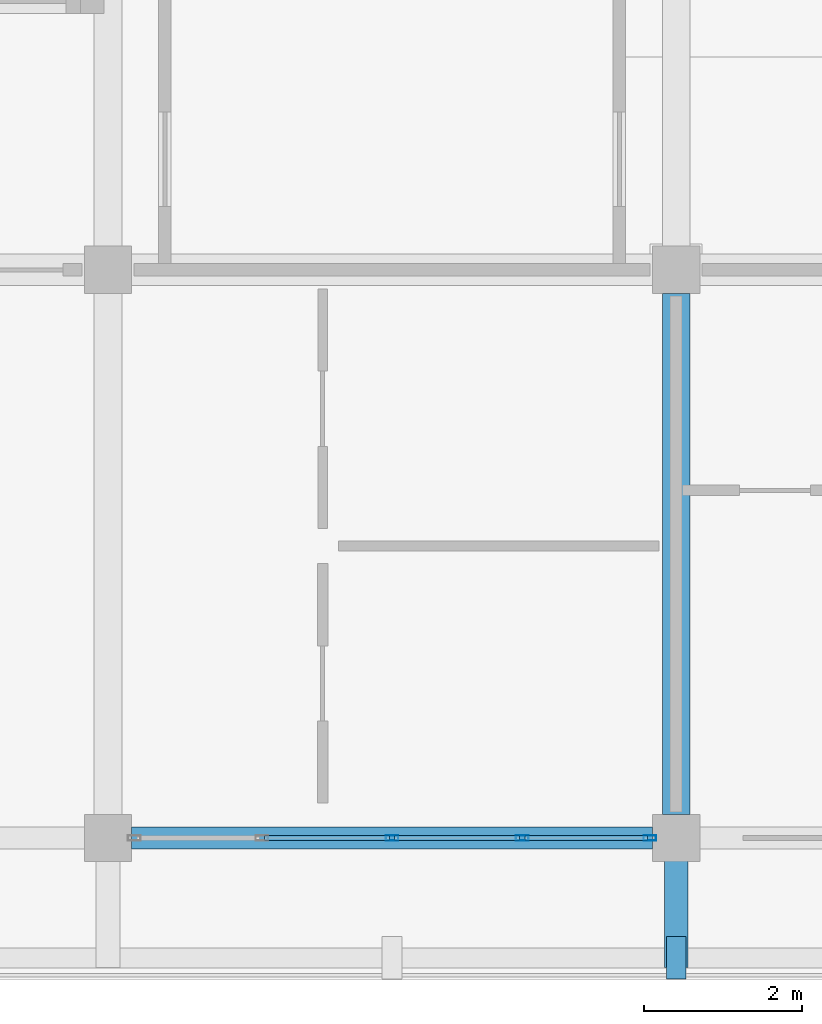
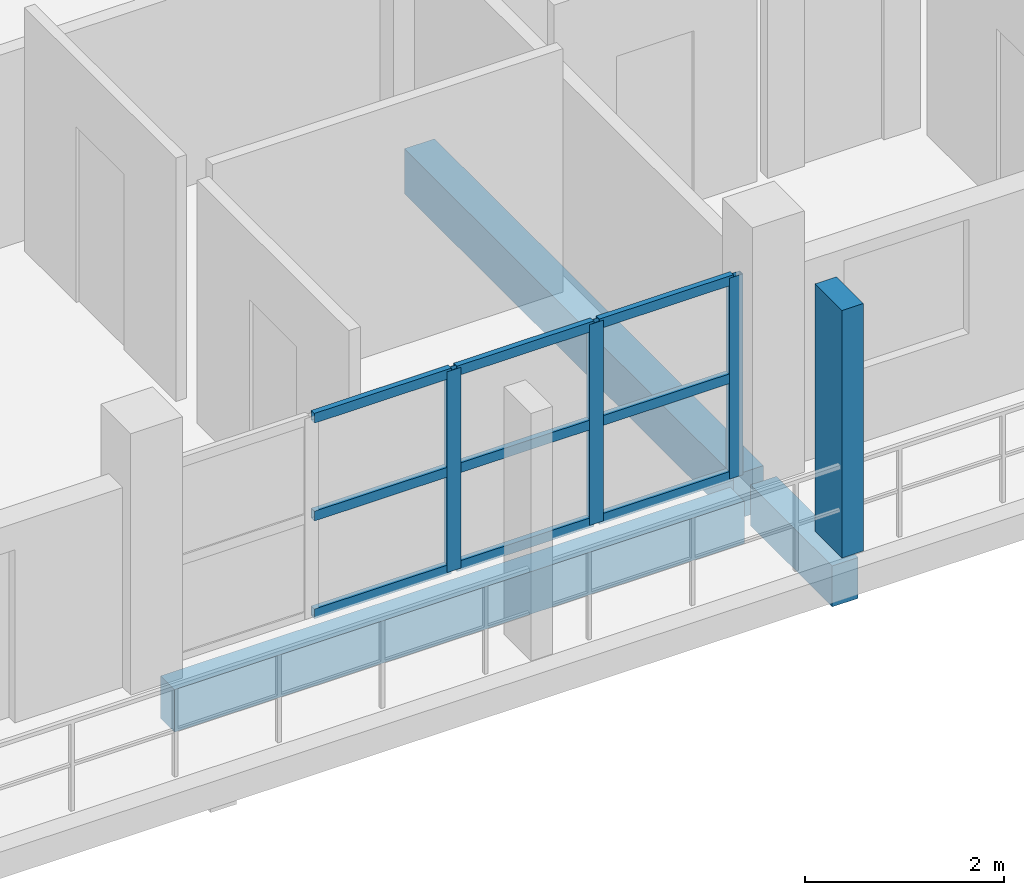
# One storey, part 26 of 76: 13 members, 3 beams, 1 element without a shape of its own.
"""IFC4 building model written with IfcOpenShell, lengths in metres."""

from ifc_helpers import new_model, si_unit, direction, frame, origin, origin_2d, place, context, subcontext, project, spatial, rectangle, hollow_rectangle, extrude, material, material_profile, profile_set, type_object, element, aggregate, save


model = new_model("IFC4")

# Units and contexts
model_context = context("Model", 3, precision=1e-05, world=origin(), true_north=direction((0.0, 1.0)))
body_context = subcontext(model_context, "Body", "Model", "MODEL_VIEW")
ifc_project = project(units=[si_unit("LENGTHUNIT", "METRE"), si_unit("AREAUNIT", "SQUARE_METRE"), si_unit("VOLUMEUNIT", "CUBIC_METRE"), si_unit("PLANEANGLEUNIT", "RADIAN"), si_unit("MASSUNIT", "GRAM", prefix="KILO")], contexts=[model_context])

# Site, building, storey
site_placement = place(None, origin())
site = spatial("IfcSite", under=ifc_project, at=site_placement, CompositionType="ELEMENT")
building_placement = place(site_placement, origin())
building = spatial("IfcBuilding", under=site, at=building_placement, Name="Suanplinth Sawtooth Commons", CompositionType="ELEMENT")
storey_placement = place(building_placement, frame((0.0, 0.0, 12.199951171875)))
storey = spatial("IfcBuildingStorey", under=building, at=storey_placement, Name="L03", CompositionType="ELEMENT", Elevation=12.199951171875)

# Beams
ifc_material_1 = material(Name="Precast concrete C40/50", Category="concrete")
ifc_material_profile_1 = material_profile(ifc_material_1, rectangle(XDim=0.35009765625, YDim=0.550048828125, at=origin_2d()), Name="PC-BM 350x550")
ifc_profile_set_1 = profile_set([ifc_material_profile_1], Name="Precast concrete C40/50")
beam_type_1 = type_object("IfcBeamType", Name="B-06", PredefinedType="BEAM", material=ifc_profile_set_1)
beam_1_placement = place(storey_placement, frame((172.800048828125, 0.300048828125, -0.514892578125), z_axis=(0.0, 1.0, 0.0), x_axis=(-1.0, 0.0, 0.0)))
element("IfcBeam", 1, at=beam_1_placement, inside=storey, type_object=beam_type_1, Name="BMY-L03-C-24-0", PredefinedType="BEAM", context=body_context, shape_type="SweptSolid", body=[
    extrude(rectangle(XDim=0.35009765625, YDim=0.550048828125, at=origin_2d()), origin(), (0.0, 0.0, 1.0), 6.599853515625),
])
ifc_material_profile_2 = material_profile(ifc_material_1, rectangle(XDim=0.300048828125, YDim=0.5, at=origin_2d()), Name="PC-BM 300x500")
ifc_profile_set_2 = profile_set([ifc_material_profile_2], Name="Precast concrete C40/50")
beam_type_2 = type_object("IfcBeamType", Name="B-07", PredefinedType="BEAM", material=ifc_profile_set_2)
beam_2_placement = place(storey_placement, frame((172.800048828125, 0.0, -0.429931640625), z_axis=(0.0, -1.0, 0.0), x_axis=(1.0, 0.0, 0.0)))
element("IfcBeam", 2, at=beam_2_placement, inside=storey, type_object=beam_type_2, Name="Balcony Outrigger L03-C-S-24", PredefinedType="BEAM", context=body_context, shape_type="SweptSolid", body=[
    extrude(rectangle(XDim=0.300048828125, YDim=0.5, at=origin_2d()), origin(), (0.0, 0.0, 1.0), 1.639892578125),
])
ifc_material_profile_3 = material_profile(ifc_material_1, rectangle(XDim=0.280029296875, YDim=0.52001953125, at=origin_2d()), Name="PC-SP 280x520")
ifc_profile_set_3 = profile_set([ifc_material_profile_3], Name="Precast concrete C40/50")
beam_type_3 = type_object("IfcBeamType", Name="B-08", PredefinedType="SPANDREL", material=ifc_profile_set_3)
beam_3_placement = place(storey_placement, frame((165.89990234375, 0.0, -0.5), z_axis=(1.0, 0.0, 0.0), x_axis=(0.0, 1.0, 0.0)))
element("IfcBeam", 3, at=beam_3_placement, inside=storey, type_object=beam_type_3, Name="BMX-L03-C-23-0", PredefinedType="SPANDREL", context=body_context, shape_type="SweptSolid", body=[
    extrude(rectangle(XDim=0.280029296875, YDim=0.52001953125, at=origin_2d()), origin(), (0.0, 0.0, 1.0), 6.60009765625),
])

# Member
ifc_material_2 = material(Name="Pigmented precast concrete C40/50", Category="concrete")
ifc_material_profile_4 = material_profile(ifc_material_2, rectangle(XDim=0.25, YDim=0.5400390625, at=origin_2d()), Name="PC-FIN 250x540")
ifc_profile_set_4 = profile_set([ifc_material_profile_4], Name="Pigmented precast concrete C40/50")
member_type_1 = type_object("IfcMemberType", Name="M-11", PredefinedType="USERDEFINED", material=ifc_profile_set_4)
member_1_placement = place(storey_placement, frame((172.800048828125, -1.52001953125, 0.0), z_axis=(0.0, 0.0, 1.0), x_axis=(1.0, 0.0, 0.0)))
element("IfcMember", 4, at=member_1_placement, inside=storey, type_object=member_type_1, Name="Upright Solar Blade L03-C-S-08", ObjectType="SHADING FIN", PredefinedType="USERDEFINED", context=body_context, shape_type="SweptSolid", body=[
    extrude(rectangle(XDim=0.25, YDim=0.5400390625, at=origin_2d()), origin(), (0.0, 0.0, 1.0), 3.030029296875),
])

# Curtain wall, members
ifc_material_3 = material(Name="Anodized aluminium and low-E glazing", Category="aluminium")
curtain_wall_type = type_object("IfcCurtainWallType", Name="CW-06", PredefinedType="USERDEFINED", material=ifc_material_3)
curtain_wall_placement = place(storey_placement, origin())
curtain_wall = element("IfcCurtainWall", 5, at=curtain_wall_placement, inside=storey, type_object=curtain_wall_type, Name="Curtain Wall CW-L03-C-LOUNGE-23", ObjectType="CURTAIN WALL", PredefinedType="USERDEFINED")
ifc_material_4 = material(Name="Anodized aluminium 6063-T6", Category="aluminium")
ifc_material_profile_5 = material_profile(ifc_material_4, hollow_rectangle(XDim=0.06494140625, YDim=0.159912109375, WallThickness=0.00390625, at=origin_2d()), Name="ALU-MUL 65x160")
ifc_profile_set_5 = profile_set([ifc_material_profile_5], Name="Anodized aluminium 6063-T6")
member_type_2 = type_object("IfcMemberType", Name="M-13", PredefinedType="MULLION", material=ifc_profile_set_5)
member_2_placement = place(storey_placement, frame((169.199951171875, 0.0, 0.0), z_axis=(0.0, 0.0, 1.0), x_axis=(0.0, 1.0, 0.0)))
member_2 = element("IfcMember", 6, at=member_2_placement, type_object=member_type_2, Name="CW-06 mullion 3", PredefinedType="MULLION", context=body_context, shape_type="SweptSolid", body=[
    extrude(hollow_rectangle(XDim=0.06494140625, YDim=0.159912109375, WallThickness=0.00390625, at=origin_2d()), origin(), (0.0, 0.0, 1.0), 2.4599609375),
])
member_3_placement = place(storey_placement, frame((170.85009765625, 0.0, 0.0), z_axis=(0.0, 0.0, 1.0), x_axis=(0.0, 1.0, 0.0)))
member_3 = element("IfcMember", 7, at=member_3_placement, type_object=member_type_2, Name="CW-06 mullion 4", PredefinedType="MULLION", context=body_context, shape_type="SweptSolid", body=[
    extrude(hollow_rectangle(XDim=0.06494140625, YDim=0.159912109375, WallThickness=0.00390625, at=origin_2d()), origin(), (0.0, 0.0, 1.0), 2.4599609375),
])
member_4_placement = place(storey_placement, frame((172.467529296875, 0.0, 0.0), z_axis=(0.0, 0.0, 1.0), x_axis=(0.0, 1.0, 0.0)))
member_4 = element("IfcMember", 8, at=member_4_placement, type_object=member_type_2, Name="CW-06 mullion 5", PredefinedType="MULLION", context=body_context, shape_type="SweptSolid", body=[
    extrude(hollow_rectangle(XDim=0.06494140625, YDim=0.159912109375, WallThickness=0.00390625, at=origin_2d()), origin(), (0.0, 0.0, 1.0), 2.4599609375),
])
ifc_material_profile_6 = material_profile(ifc_material_4, hollow_rectangle(XDim=0.06494140625, YDim=0.1201171875, WallThickness=0.00390625, at=origin_2d()), Name="ALU-TRN 65x120")
ifc_profile_set_6 = profile_set([ifc_material_profile_6], Name="Anodized aluminium 6063-T6")
member_type_3 = type_object("IfcMemberType", Name="M-15", PredefinedType="USERDEFINED", material=ifc_profile_set_6)
member_5_placement = place(storey_placement, frame((167.58251953125, 0.0, 0.032470703125), z_axis=(1.0, 0.0, 0.0), x_axis=(0.0, 1.0, 0.0)))
member_5 = element("IfcMember", 9, at=member_5_placement, type_object=member_type_3, Name="CW-06 transom 2.1", ObjectType="TRANSOM", PredefinedType="USERDEFINED", context=body_context, shape_type="SweptSolid", body=[
    extrude(hollow_rectangle(XDim=0.06494140625, YDim=0.1201171875, WallThickness=0.00390625, at=origin_2d()), origin(), (0.0, 0.0, 1.0), 1.5849609375),
])
member_6_placement = place(storey_placement, frame((167.58251953125, 0.0, 1.22998046875), z_axis=(1.0, 0.0, 0.0), x_axis=(0.0, 1.0, 0.0)))
member_6 = element("IfcMember", 10, at=member_6_placement, type_object=member_type_3, Name="CW-06 transom 2.2", ObjectType="TRANSOM", PredefinedType="USERDEFINED", context=body_context, shape_type="SweptSolid", body=[
    extrude(hollow_rectangle(XDim=0.06494140625, YDim=0.1201171875, WallThickness=0.00390625, at=origin_2d()), origin(), (0.0, 0.0, 1.0), 1.5849609375),
])
member_7_placement = place(storey_placement, frame((167.58251953125, 0.0, 2.427490234375), z_axis=(1.0, 0.0, 0.0), x_axis=(0.0, 1.0, 0.0)))
member_7 = element("IfcMember", 11, at=member_7_placement, type_object=member_type_3, Name="CW-06 transom 2.3", ObjectType="TRANSOM", PredefinedType="USERDEFINED", context=body_context, shape_type="SweptSolid", body=[
    extrude(hollow_rectangle(XDim=0.06494140625, YDim=0.1201171875, WallThickness=0.00390625, at=origin_2d()), origin(), (0.0, 0.0, 1.0), 1.5849609375),
])
member_8_placement = place(storey_placement, frame((169.232421875, 0.0, 0.032470703125), z_axis=(1.0, 0.0, 0.0), x_axis=(0.0, 1.0, 0.0)))
member_8 = element("IfcMember", 12, at=member_8_placement, type_object=member_type_3, Name="CW-06 transom 3.1", ObjectType="TRANSOM", PredefinedType="USERDEFINED", context=body_context, shape_type="SweptSolid", body=[
    extrude(hollow_rectangle(XDim=0.06494140625, YDim=0.1201171875, WallThickness=0.00390625, at=origin_2d()), origin(), (0.0, 0.0, 1.0), 1.5849609375),
])
member_9_placement = place(storey_placement, frame((169.232421875, 0.0, 1.22998046875), z_axis=(1.0, 0.0, 0.0), x_axis=(0.0, 1.0, 0.0)))
member_9 = element("IfcMember", 13, at=member_9_placement, type_object=member_type_3, Name="CW-06 transom 3.2", ObjectType="TRANSOM", PredefinedType="USERDEFINED", context=body_context, shape_type="SweptSolid", body=[
    extrude(hollow_rectangle(XDim=0.06494140625, YDim=0.1201171875, WallThickness=0.00390625, at=origin_2d()), origin(), (0.0, 0.0, 1.0), 1.5849609375),
])
member_10_placement = place(storey_placement, frame((169.232421875, 0.0, 2.427490234375), z_axis=(1.0, 0.0, 0.0), x_axis=(0.0, 1.0, 0.0)))
member_10 = element("IfcMember", 14, at=member_10_placement, type_object=member_type_3, Name="CW-06 transom 3.3", ObjectType="TRANSOM", PredefinedType="USERDEFINED", context=body_context, shape_type="SweptSolid", body=[
    extrude(hollow_rectangle(XDim=0.06494140625, YDim=0.1201171875, WallThickness=0.00390625, at=origin_2d()), origin(), (0.0, 0.0, 1.0), 1.5849609375),
])
member_11_placement = place(storey_placement, frame((170.882568359375, 0.0, 0.032470703125), z_axis=(1.0, 0.0, 0.0), x_axis=(0.0, 1.0, 0.0)))
member_11 = element("IfcMember", 15, at=member_11_placement, type_object=member_type_3, Name="CW-06 transom 4.1", ObjectType="TRANSOM", PredefinedType="USERDEFINED", context=body_context, shape_type="SweptSolid", body=[
    extrude(hollow_rectangle(XDim=0.06494140625, YDim=0.1201171875, WallThickness=0.00390625, at=origin_2d()), origin(), (0.0, 0.0, 1.0), 1.552490234375),
])
member_12_placement = place(storey_placement, frame((170.882568359375, 0.0, 1.22998046875), z_axis=(1.0, 0.0, 0.0), x_axis=(0.0, 1.0, 0.0)))
member_12 = element("IfcMember", 16, at=member_12_placement, type_object=member_type_3, Name="CW-06 transom 4.2", ObjectType="TRANSOM", PredefinedType="USERDEFINED", context=body_context, shape_type="SweptSolid", body=[
    extrude(hollow_rectangle(XDim=0.06494140625, YDim=0.1201171875, WallThickness=0.00390625, at=origin_2d()), origin(), (0.0, 0.0, 1.0), 1.552490234375),
])
member_13_placement = place(storey_placement, frame((170.882568359375, 0.0, 2.427490234375), z_axis=(1.0, 0.0, 0.0), x_axis=(0.0, 1.0, 0.0)))
member_13 = element("IfcMember", 17, at=member_13_placement, type_object=member_type_3, Name="CW-06 transom 4.3", ObjectType="TRANSOM", PredefinedType="USERDEFINED", context=body_context, shape_type="SweptSolid", body=[
    extrude(hollow_rectangle(XDim=0.06494140625, YDim=0.1201171875, WallThickness=0.00390625, at=origin_2d()), origin(), (0.0, 0.0, 1.0), 1.552490234375),
])
aggregate(curtain_wall, [member_2, member_3, member_4, member_5, member_6, member_7, member_8, member_9, member_10, member_11, member_12, member_13])

save(model, "model.ifc")
